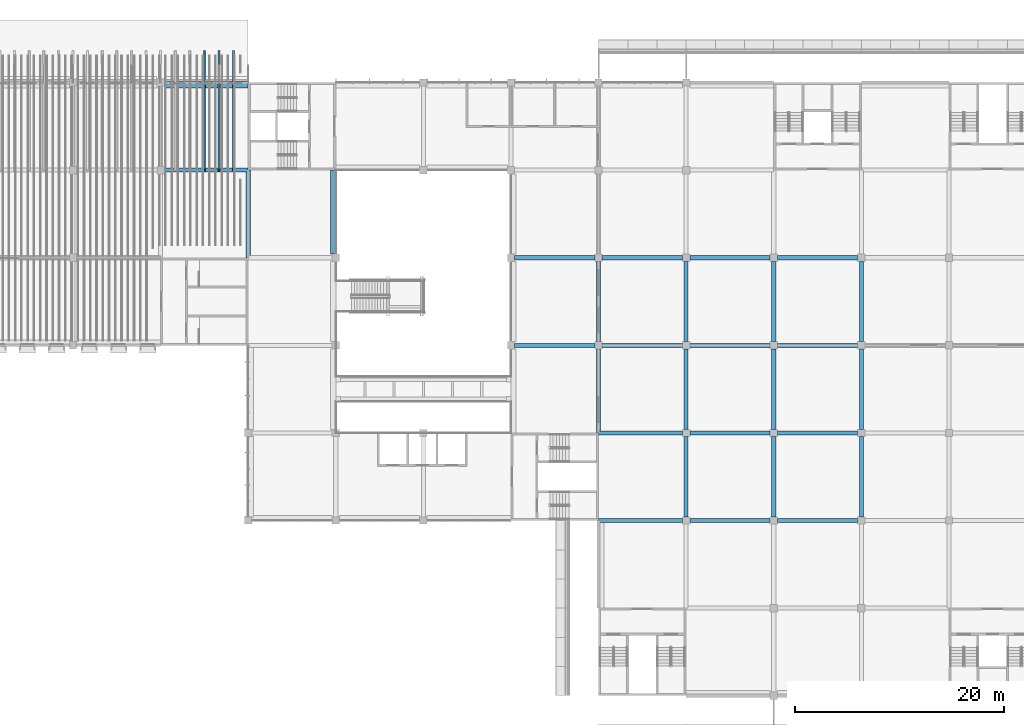
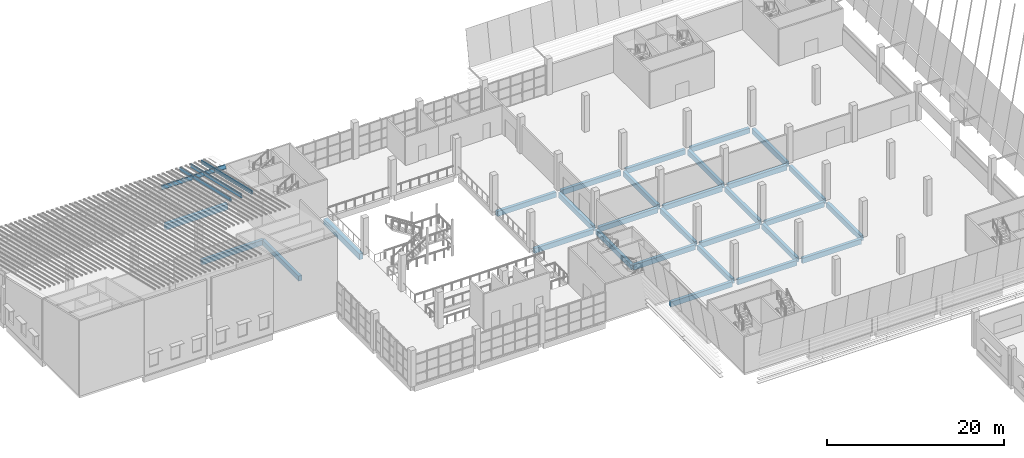
# One storey, part 8 of 82: 30 beams, 3 members.
"""IFC4 building model written with IfcOpenShell, lengths in metres."""

import ifcopenshell
import ifcopenshell.guid

model = None  # the IFC model being written
_history = None  # IfcOwnerHistory: only IFC2X3 demands one
_inside = {}  # id of a spatial element -> (the spatial element, [elements in it])
_under = {}  # id of a project, library or spatial element -> (it, [spatial elements below it])
_declared = {}  # id of a project -> (the project, [libraries it declares])
_typed = {}  # id of a type object -> (the type object, [elements of that type])
_made_of = {}  # id of a material, layer set ... -> (it, [elements and type objects made of it])


def new_model(schema):
    """Start an empty IFC model of exactly this schema.

    Asked for "IFC4X3", IfcOpenShell would pick the latest addendum, in which some entities
    have other attributes; the version numbers below select the first issue.
    IFC2X3 requires an IfcOwnerHistory on every rooted entity: one is made here for all.
    """
    global model, _history
    if schema == "IFC4X3":
        model = ifcopenshell.file(schema_version=(4, 3, 0, 0))
    else:
        model = ifcopenshell.file(schema=schema)
    _inside.clear()
    _under.clear()
    _declared.clear()
    _typed.clear()
    _made_of.clear()
    _history = None
    if model.schema == "IFC2X3":
        org = make("IfcOrganization", Name="unknown")
        user = make(
            "IfcPersonAndOrganization",
            ThePerson=make("IfcPerson", FamilyName="unknown"),
            TheOrganization=org,
        )
        app = make(
            "IfcApplication",
            ApplicationDeveloper=org,
            Version="unknown",
            ApplicationFullName="unknown",
            ApplicationIdentifier="unknown",
        )
        _history = make(
            "IfcOwnerHistory",
            OwningUser=user,
            OwningApplication=app,
            ChangeAction="ADDED",
            CreationDate=0,
        )
    return model


def make(cls, **values):
    """One entity of the class cls with the attributes given. An attribute that is None is left unset."""
    return model.create_entity(
        cls, **{name: value for name, value in values.items() if value is not None}
    )


def rooted(cls, **values):
    """An entity with a GlobalId (a new one), such as an element, a storey or a relation."""
    return make(cls, GlobalId=ifcopenshell.guid.new(), OwnerHistory=_history, **values)


def si_unit(unit_type, name, prefix=None):
    """IfcSIUnit, for example si_unit("LENGTHUNIT", "METRE", prefix="MILLI")."""
    return make("IfcSIUnit", UnitType=unit_type, Prefix=prefix, Name=name)


def assignment(units):
    """IfcUnitAssignment: the units of a project."""
    return None if units is None else make("IfcUnitAssignment", Units=units)


def point(xyz):
    """IfcCartesianPoint."""
    return None if xyz is None else make("IfcCartesianPoint", Coordinates=xyz)


def direction(xyz):
    """IfcDirection."""
    return None if xyz is None else make("IfcDirection", DirectionRatios=xyz)


def frame(location, z_axis=None, x_axis=None):
    """IfcAxis2Placement3D, a coordinate frame: its origin and axes. An axis left out is left unset."""
    return make(
        "IfcAxis2Placement3D",
        Location=point(location),
        Axis=direction(z_axis),
        RefDirection=direction(x_axis),
    )


def frame_2d(location, x_axis=None):
    """IfcAxis2Placement2D, a coordinate frame in the plane: its origin and x axis."""
    return make(
        "IfcAxis2Placement2D", Location=point(location), RefDirection=direction(x_axis)
    )


def origin():
    """The frame at (0, 0, 0) with its axes left unset."""
    return frame((0.0, 0.0, 0.0))


def origin_2d():
    """The frame at (0, 0) in the plane with its x axis left unset."""
    return frame_2d((0.0, 0.0))


def place(relative_to, where):
    """IfcLocalPlacement: puts the frame where relative to a parent placement (None: the world)."""
    return make(
        "IfcLocalPlacement", PlacementRelTo=relative_to, RelativePlacement=where
    )


def context(
    kind, dimensions, precision=None, world=None, true_north=None, identifier=None
):
    """IfcGeometricRepresentationContext, for example the 3D "Model" context."""
    return make(
        "IfcGeometricRepresentationContext",
        ContextIdentifier=identifier,
        ContextType=kind,
        CoordinateSpaceDimension=dimensions,
        Precision=precision,
        WorldCoordinateSystem=world,
        TrueNorth=true_north,
    )


def subcontext(parent, identifier, kind, view, scale=None):
    """IfcGeometricRepresentationSubContext, for example "Body" below "Model"."""
    return make(
        "IfcGeometricRepresentationSubContext",
        ContextIdentifier=identifier,
        ContextType=kind,
        ParentContext=parent,
        TargetScale=scale,
        TargetView=view,
    )


def project(units=None, contexts=None):
    """IfcProject with its units and contexts."""
    return rooted(
        "IfcProject",
        Name="project",
        RepresentationContexts=contexts,
        UnitsInContext=assignment(units),
    )


def spatial(cls, under=None, at=None, **own):
    """A site, building, storey or space (cls), placed at a placement, below another one or the project."""
    s = rooted(cls, ObjectPlacement=at, **own)
    if under is not None:
        _under.setdefault(under.id(), (under, []))[1].append(s)
    return s


def profile(cls, at=None, kind="AREA", **sizes):
    """A parametric profile (cls). Its sizes go by their IFC names, for example OverallWidth=200.0."""
    return make(cls, ProfileType=kind, Position=at, **sizes)


def rectangle(**sizes):
    """IfcRectangleProfileDef."""
    return profile("IfcRectangleProfileDef", **sizes)


def i_section(**sizes):
    """IfcIShapeProfileDef."""
    return profile("IfcIShapeProfileDef", **sizes)


def extrude(swept, where, along, depth):
    """IfcExtrudedAreaSolid: the profile swept, set in the frame where, extruded along a direction by depth."""
    return make(
        "IfcExtrudedAreaSolid",
        SweptArea=swept,
        Position=where,
        ExtrudedDirection=direction(along),
        Depth=depth,
    )


def shape(context_of_items, identifier, shape_type, items):
    """IfcShapeRepresentation: the items that make up one representation, for example the "Body"."""
    return make(
        "IfcShapeRepresentation",
        ContextOfItems=context_of_items,
        RepresentationIdentifier=identifier,
        RepresentationType=shape_type,
        Items=items,
    )


def material(Name=None, Category=None):
    """IfcMaterial."""
    return make("IfcMaterial", Name=Name, Category=Category)


def material_profile(
    of_material, cross_section, Name=None, Category=None, Priority=None
):
    """IfcMaterialProfile: a cross section and its material."""
    return make(
        "IfcMaterialProfile",
        Name=Name,
        Material=of_material,
        Profile=cross_section,
        Priority=Priority,
        Category=Category,
    )


def profile_set(profiles, Name=None, composite=None):
    """IfcMaterialProfileSet."""
    return make(
        "IfcMaterialProfileSet",
        Name=Name,
        MaterialProfiles=profiles,
        CompositeProfile=composite,
    )


def made_of(thing, what):
    """Note that an element or type object is made of a material, layer set ...; save() writes the relation."""
    if what is not None:
        _made_of.setdefault(what.id(), (what, []))[1].append(thing)
    return thing


def type_object(cls, material=None, **own):
    """A type object (cls), such as IfcWallType, which elements share."""
    return made_of(rooted(cls, **own), material)


def element(
    cls,
    number,
    at=None,
    inside=None,
    cuts=None,
    type_object=None,
    material=None,
    context=None,
    identifier="Body",
    shape_type=None,
    held_by="IfcProductDefinitionShape",
    body=None,
    shapes=None,
    **own,
):
    """One element of the class cls, such as IfcWall. Its Tag is "e" and its number.

    at: its placement. inside: the storey or other place that contains it. cuts: it is an
    opening in that element (IfcRelVoidsElement). A single representation is given by context,
    identifier, shape_type and body (its items); several are given by shapes. held_by: the class
    of the entity that holds the representations. save() writes the other relations.
    """
    e = rooted(cls, Tag="e%d" % number, ObjectPlacement=at, **own)
    if body is not None:
        shapes = [shape(context, identifier, shape_type, body)]
    if shapes is not None:
        e.Representation = make(held_by, Representations=shapes)
    if inside is not None:
        _inside.setdefault(inside.id(), (inside, []))[1].append(e)
    if cuts is not None:
        rooted(
            "IfcRelVoidsElement", RelatingBuildingElement=cuts, RelatedOpeningElement=e
        )
    if type_object is not None:
        _typed.setdefault(type_object.id(), (type_object, []))[1].append(e)
    return made_of(e, material)


def aggregate(whole, parts):
    """IfcRelAggregates: a whole, such as a stair, and the parts it consists of."""
    return rooted("IfcRelAggregates", RelatingObject=whole, RelatedObjects=parts)


def save(model, path):
    """Write the relations noted so far, then the file.

    IfcRelAggregates (storeys below a building ...), IfcRelContainedInSpatialStructure (elements
    in a storey), IfcRelDefinesByType, IfcRelAssociatesMaterial and IfcRelDeclares: one each for
    every whole, place, type object, material and project.
    """
    for whole, parts in _under.values():
        aggregate(whole, parts)
    for where, things in _inside.values():
        rooted(
            "IfcRelContainedInSpatialStructure",
            RelatedElements=things,
            RelatingStructure=where,
        )
    for kind, things in _typed.values():
        rooted("IfcRelDefinesByType", RelatedObjects=things, RelatingType=kind)
    for what, things in _made_of.values():
        rooted("IfcRelAssociatesMaterial", RelatedObjects=things, RelatingMaterial=what)
    for by, libraries in _declared.values():
        rooted("IfcRelDeclares", RelatingContext=by, RelatedDefinitions=libraries)
    model.write(path)


model = new_model("IFC4")

# Units and contexts
model_context = context("Model", 3, precision=1e-05, world=origin(), true_north=direction((0.0, 1.0)))
body_context = subcontext(model_context, "Body", "Model", "MODEL_VIEW")
ifc_project = project(units=[si_unit("LENGTHUNIT", "METRE"), si_unit("AREAUNIT", "SQUARE_METRE"), si_unit("VOLUMEUNIT", "CUBIC_METRE"), si_unit("PLANEANGLEUNIT", "RADIAN"), si_unit("MASSUNIT", "GRAM", prefix="KILO")], contexts=[model_context])

# Site, building, storey
site_placement = place(None, origin())
site = spatial("IfcSite", under=ifc_project, at=site_placement, CompositionType="ELEMENT")
building_placement = place(site_placement, origin())
building = spatial("IfcBuilding", under=site, at=building_placement, Name="Almond Square Museum", CompositionType="ELEMENT")
storey_placement = place(building_placement, frame((0.0, 0.0, 20.0)))
storey = spatial("IfcBuildingStorey", under=building, at=storey_placement, Name="L03", CompositionType="ELEMENT", Elevation=20.0)

# Members
ifc_material_1 = material(Name="Glulam GL28h", Category="wood")
ifc_material_profile_1 = material_profile(ifc_material_1, rectangle(XDim=0.159912109375, YDim=0.5, at=origin_2d()))
ifc_profile_set_1 = profile_set([ifc_material_profile_1], Name="Glulam GL28h")
member_type = type_object("IfcMemberType", Name="Glulam rafter GL28h 160x500", PredefinedType="RAFTER", material=ifc_profile_set_1)
for number, where, z_axis, x_axis, name in (
    (1, (69.0, 100.800048828125, 6.64013671875), (0.0, 0.972804426364, -0.231628038127), (-1.0, 0.0, 0.0), "V4N rafter 3.22"),
    (2, (70.39990234375, 100.800048828125, 6.64013671875), (0.0, 0.972804426364, -0.231628038127), (-1.0, 0.0, 0.0), "V4N rafter 3.23"),
    (3, (71.800048828125, 100.800048828125, 6.64013671875), (0.0, 0.972804426364, -0.231628038127), (-1.0, 0.0, 0.0), "V4N rafter 3.24"),
):
    element("IfcMember", number, at=place(storey_placement, frame(where, z_axis=z_axis, x_axis=x_axis)), inside=storey, type_object=member_type, Name=name, PredefinedType="RAFTER", context=body_context, shape_type="SweptSolid", body=[
        extrude(rectangle(XDim=0.159912109375, YDim=0.5, at=origin_2d()), origin(), (0.0, 0.0, 1.0), 11.718505859375),
    ])

# Beams
ifc_material_2 = material(Name="Concrete C40/50", Category="concrete")
ifc_material_profile_2 = material_profile(ifc_material_2, rectangle(XDim=0.39990234375, YDim=0.699951171875, at=origin_2d()))
ifc_profile_set_2 = profile_set([ifc_material_profile_2], Name="Concrete C40/50")
beam_type_1 = type_object("IfcBeamType", Name="RC beam 400 x 700 C40/50", PredefinedType="BEAM", material=ifc_profile_set_2)
beam_1_placement = place(storey_placement, frame((106.800048828125, 67.199951171875, -0.60009765625), z_axis=(1.0, 0.0, 0.0), x_axis=(0.0, 1.0, 0.0)))
element("IfcBeam", 4, at=beam_1_placement, inside=storey, type_object=beam_type_1, Name="Beam I 14-15 L03", PredefinedType="BEAM", context=body_context, shape_type="SweptSolid", body=[
    extrude(rectangle(XDim=0.39990234375, YDim=0.699951171875, at=origin_2d()), origin(), (0.0, 0.0, 1.0), 8.050048828125),
])
for number, where, z_axis, x_axis, name in (
    (5, (115.550048828125, 67.199951171875, -0.60009765625), (1.0, 0.0, 0.0), (0.0, 1.0, 0.0), "Beam I 15-16 L03"),
    (6, (123.949951171875, 67.199951171875, -0.60009765625), (1.0, 0.0, 0.0), (0.0, 1.0, 0.0), "Beam I 16-17 L03"),
):
    element("IfcBeam", number, at=place(storey_placement, frame(where, z_axis=z_axis, x_axis=x_axis)), inside=storey, type_object=beam_type_1, Name=name, PredefinedType="BEAM", context=body_context, shape_type="SweptSolid", body=[
        extrude(rectangle(XDim=0.39990234375, YDim=0.699951171875, at=origin_2d()), origin(), (0.0, 0.0, 1.0), 7.699951171875),
    ])
beam_2_placement = place(storey_placement, frame((106.800048828125, 75.60009765625, -0.60009765625), z_axis=(1.0, 0.0, 0.0), x_axis=(0.0, 1.0, 0.0)))
element("IfcBeam", 7, at=beam_2_placement, inside=storey, type_object=beam_type_1, Name="Beam J 14-15 L03", PredefinedType="BEAM", context=body_context, shape_type="SweptSolid", body=[
    extrude(rectangle(XDim=0.39990234375, YDim=0.699951171875, at=origin_2d()), origin(), (0.0, 0.0, 1.0), 8.050048828125),
])
for number, where, z_axis, x_axis, name in (
    (8, (115.550048828125, 75.60009765625, -0.60009765625), (1.0, 0.0, 0.0), (0.0, 1.0, 0.0), "Beam J 15-16 L03"),
    (9, (123.949951171875, 75.60009765625, -0.60009765625), (1.0, 0.0, 0.0), (0.0, 1.0, 0.0), "Beam J 16-17 L03"),
    (10, (98.75, 84.0, -0.60009765625), (1.0, 0.0, 0.0), (0.0, 1.0, 0.0), "Beam K 13-14 L03"),
):
    element("IfcBeam", number, at=place(storey_placement, frame(where, z_axis=z_axis, x_axis=x_axis)), inside=storey, type_object=beam_type_1, Name=name, PredefinedType="BEAM", context=body_context, shape_type="SweptSolid", body=[
        extrude(rectangle(XDim=0.39990234375, YDim=0.699951171875, at=origin_2d()), origin(), (0.0, 0.0, 1.0), 7.699951171875),
    ])
beam_3_placement = place(storey_placement, frame((107.14990234375, 84.0, -0.60009765625), z_axis=(1.0, 0.0, 0.0), x_axis=(0.0, 1.0, 0.0)))
element("IfcBeam", 11, at=beam_3_placement, inside=storey, type_object=beam_type_1, Name="Beam K 14-15 L03", PredefinedType="BEAM", context=body_context, shape_type="SweptSolid", body=[
    extrude(rectangle(XDim=0.39990234375, YDim=0.699951171875, at=origin_2d()), origin(), (0.0, 0.0, 1.0), 7.7001953125),
])
for number, where, z_axis, x_axis, name in (
    (12, (115.550048828125, 84.0, -0.60009765625), (1.0, 0.0, 0.0), (0.0, 1.0, 0.0), "Beam K 15-16 L03"),
    (13, (123.949951171875, 84.0, -0.60009765625), (1.0, 0.0, 0.0), (0.0, 1.0, 0.0), "Beam K 16-17 L03"),
    (14, (98.75, 92.39990234375, -0.60009765625), (1.0, 0.0, 0.0), (0.0, 1.0, 0.0), "Beam L 13-14 L03"),
):
    element("IfcBeam", number, at=place(storey_placement, frame(where, z_axis=z_axis, x_axis=x_axis)), inside=storey, type_object=beam_type_1, Name=name, PredefinedType="BEAM", context=body_context, shape_type="SweptSolid", body=[
        extrude(rectangle(XDim=0.39990234375, YDim=0.699951171875, at=origin_2d()), origin(), (0.0, 0.0, 1.0), 7.699951171875),
    ])
beam_4_placement = place(storey_placement, frame((107.14990234375, 92.39990234375, -0.60009765625), z_axis=(1.0, 0.0, 0.0), x_axis=(0.0, 1.0, 0.0)))
element("IfcBeam", 15, at=beam_4_placement, inside=storey, type_object=beam_type_1, Name="Beam L 14-15 L03", PredefinedType="BEAM", context=body_context, shape_type="SweptSolid", body=[
    extrude(rectangle(XDim=0.39990234375, YDim=0.699951171875, at=origin_2d()), origin(), (0.0, 0.0, 1.0), 7.7001953125),
])
for number, where, z_axis, x_axis, name in (
    (16, (115.550048828125, 92.39990234375, -0.60009765625), (1.0, 0.0, 0.0), (0.0, 1.0, 0.0), "Beam L 15-16 L03"),
    (17, (123.949951171875, 92.39990234375, -0.60009765625), (1.0, 0.0, 0.0), (0.0, 1.0, 0.0), "Beam L 16-17 L03"),
):
    element("IfcBeam", number, at=place(storey_placement, frame(where, z_axis=z_axis, x_axis=x_axis)), inside=storey, type_object=beam_type_1, Name=name, PredefinedType="BEAM", context=body_context, shape_type="SweptSolid", body=[
        extrude(rectangle(XDim=0.39990234375, YDim=0.699951171875, at=origin_2d()), origin(), (0.0, 0.0, 1.0), 7.699951171875),
    ])
beam_5_placement = place(storey_placement, frame((65.14990234375, 100.800048828125, -0.60009765625), z_axis=(1.0, 0.0, 0.0), x_axis=(0.0, 1.0, 0.0)))
element("IfcBeam", 18, at=beam_5_placement, inside=storey, type_object=beam_type_1, Name="Beam M 9-10 L03", PredefinedType="BEAM", context=body_context, shape_type="SweptSolid", body=[
    extrude(rectangle(XDim=0.39990234375, YDim=0.699951171875, at=origin_2d()), origin(), (0.0, 0.0, 1.0), 8.050048828125),
])
beam_6_placement = place(storey_placement, frame((73.199951171875, 92.39990234375, -0.60009765625), z_axis=(0.0, 1.0, 0.0), x_axis=(-1.0, 0.0, 0.0)))
element("IfcBeam", 19, at=beam_6_placement, inside=storey, type_object=beam_type_1, Name="Beam 10 L-M L03", PredefinedType="BEAM", context=body_context, shape_type="SweptSolid", body=[
    extrude(rectangle(XDim=0.39990234375, YDim=0.699951171875, at=origin_2d()), origin(), (0.0, 0.0, 1.0), 8.400146484375),
])
beam_7_placement = place(storey_placement, frame((106.800048828125, 75.60009765625, -0.60009765625), z_axis=(0.0, 1.0, 0.0), x_axis=(-1.0, 0.0, 0.0)))
element("IfcBeam", 20, at=beam_7_placement, inside=storey, type_object=beam_type_1, Name="Beam 14 J-K L03", PredefinedType="BEAM", context=body_context, shape_type="SweptSolid", body=[
    extrude(rectangle(XDim=0.39990234375, YDim=0.699951171875, at=origin_2d()), origin(), (0.0, 0.0, 1.0), 8.0498046875),
])
for number, where, z_axis, x_axis, name in (
    (21, (106.800048828125, 84.35009765625, -0.60009765625), (0.0, 1.0, 0.0), (-1.0, 0.0, 0.0), "Beam 14 K-L L03"),
    (22, (115.199951171875, 67.550048828125, -0.60009765625), (0.0, 1.0, 0.0), (-1.0, 0.0, 0.0), "Beam 15 I-J L03"),
    (23, (115.199951171875, 75.949951171875, -0.60009765625), (0.0, 1.0, 0.0), (-1.0, 0.0, 0.0), "Beam 15 J-K L03"),
    (24, (115.199951171875, 84.35009765625, -0.60009765625), (0.0, 1.0, 0.0), (-1.0, 0.0, 0.0), "Beam 15 K-L L03"),
    (25, (123.60009765625, 67.550048828125, -0.60009765625), (0.0, 1.0, 0.0), (-1.0, 0.0, 0.0), "Beam 16 I-J L03"),
    (26, (123.60009765625, 75.949951171875, -0.60009765625), (0.0, 1.0, 0.0), (-1.0, 0.0, 0.0), "Beam 16 J-K L03"),
    (27, (123.60009765625, 84.35009765625, -0.60009765625), (0.0, 1.0, 0.0), (-1.0, 0.0, 0.0), "Beam 16 K-L L03"),
    (28, (132.0, 67.550048828125, -0.60009765625), (0.0, 1.0, 0.0), (-1.0, 0.0, 0.0), "Beam 17 I-J L03"),
    (29, (132.0, 75.949951171875, -0.60009765625), (0.0, 1.0, 0.0), (-1.0, 0.0, 0.0), "Beam 17 J-K L03"),
    (30, (132.0, 84.35009765625, -0.60009765625), (0.0, 1.0, 0.0), (-1.0, 0.0, 0.0), "Beam 17 K-L L03"),
):
    element("IfcBeam", number, at=place(storey_placement, frame(where, z_axis=z_axis, x_axis=x_axis)), inside=storey, type_object=beam_type_1, Name=name, PredefinedType="BEAM", context=body_context, shape_type="SweptSolid", body=[
        extrude(rectangle(XDim=0.39990234375, YDim=0.699951171875, at=origin_2d()), origin(), (0.0, 0.0, 1.0), 7.699951171875),
    ])
ifc_material_3 = material(Name="Concrete C40/50", Category="concrete")
ifc_material_profile_3 = material_profile(ifc_material_3, rectangle(XDim=0.5, YDim=0.800048828125, at=origin_2d()))
ifc_profile_set_3 = profile_set([ifc_material_profile_3], Name="Concrete C40/50")
beam_type_2 = type_object("IfcBeamType", Name="RC edge beam 500 x 800 C40/50", PredefinedType="BEAM", material=ifc_profile_set_3)
for number, where, z_axis, x_axis, name in (
    (31, (65.14990234375, 108.949951171875, -0.64990234375), (1.0, 0.0, 0.0), (0.0, 1.0, 0.0), "Edge beam N 9-10 L03"),
    (32, (81.35009765625, 92.75, -0.64990234375), (0.0, 1.0, 0.0), (-1.0, 0.0, 0.0), "Edge beam 11 L-M L03"),
):
    element("IfcBeam", number, at=place(storey_placement, frame(where, z_axis=z_axis, x_axis=x_axis)), inside=storey, type_object=beam_type_2, Name=name, PredefinedType="BEAM", context=body_context, shape_type="SweptSolid", body=[
        extrude(rectangle(XDim=0.5, YDim=0.800048828125, at=origin_2d()), origin(), (0.0, 0.0, 1.0), 8.050048828125),
    ])
ifc_material_4 = material(Name="Structural steel S355", Category="steel")
ifc_material_profile_4 = material_profile(ifc_material_4, i_section(OverallWidth=0.208984375, OverallDepth=0.532958984375, WebThickness=0.01025390625, FlangeThickness=0.015625, at=origin_2d()))
ifc_profile_set_4 = profile_set([ifc_material_profile_4], Name="Structural steel S355")
beam_type_3 = type_object("IfcBeamType", Name="Roof beam W530x92", PredefinedType="BEAM", material=ifc_profile_set_4)
beam_8_placement = place(storey_placement, frame((64.800048828125, 109.199951171875, 4.623291015625), z_axis=(1.0, 0.0, 0.0), x_axis=(0.0, 0.972806205605, -0.231620565444)))
element("IfcBeam", 33, at=beam_8_placement, inside=storey, type_object=beam_type_3, Name="V4N roof beam 4.4", PredefinedType="BEAM", context=body_context, shape_type="SweptSolid", body=[
    extrude(i_section(OverallWidth=0.208984375, OverallDepth=0.532958984375, WebThickness=0.01025390625, FlangeThickness=0.015625, at=origin_2d()), origin(), (0.0, 0.0, 1.0), 8.39990234375),
])

save(model, "model.ifc")
